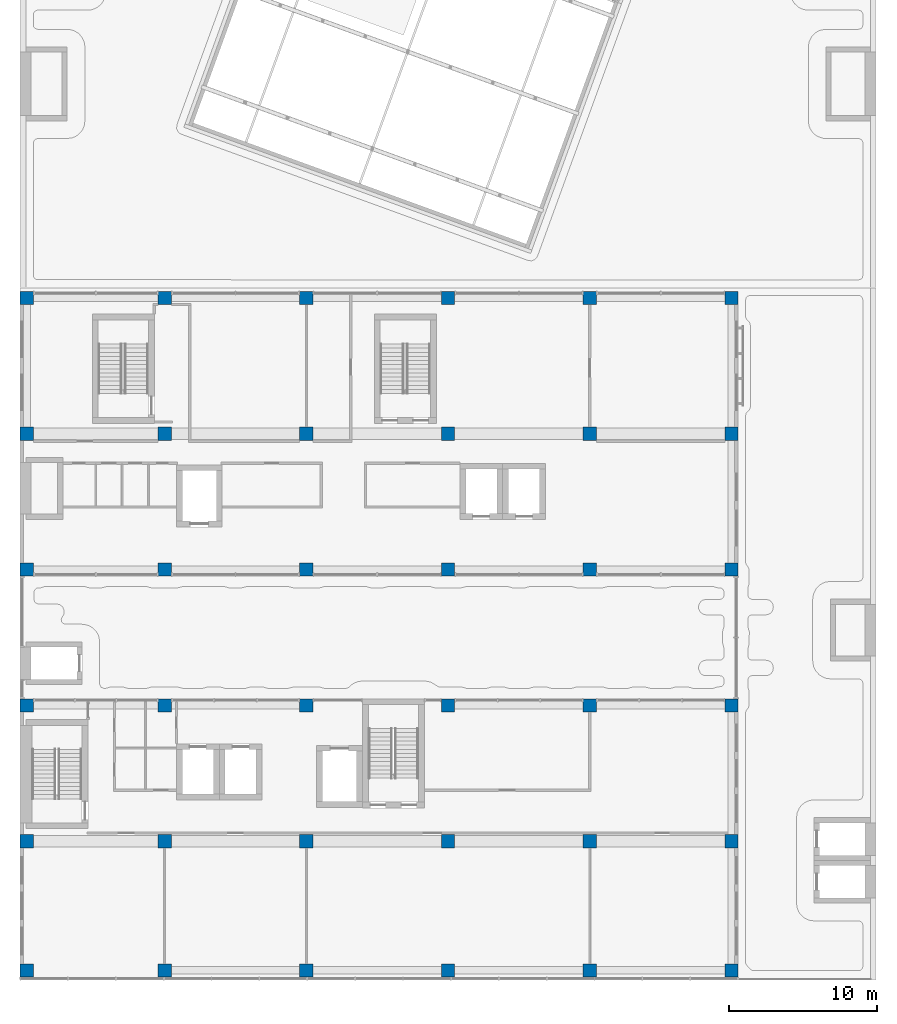
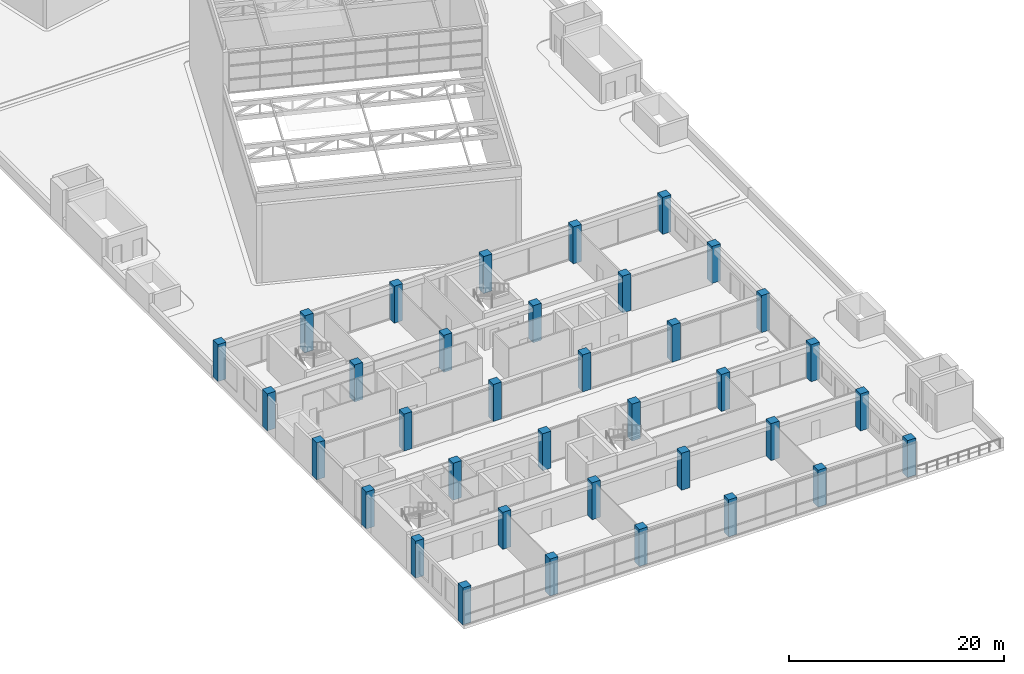
# One storey, part 1 of 72: 36 columns.
"""IFC4 building model written with IfcOpenShell, lengths in metres."""

from ifc_helpers import new_model, si_unit, direction, frame, origin, origin_2d, place, context, subcontext, project, spatial, rectangle, extrude, material, material_profile, profile_set, type_object, element, save


model = new_model("IFC4")

# Units and contexts
model_context = context("Model", 3, precision=1e-05, world=origin(), true_north=direction((0.0, 1.0)))
body_context = subcontext(model_context, "Body", "Model", "MODEL_VIEW")
ifc_project = project(units=[si_unit("LENGTHUNIT", "METRE"), si_unit("AREAUNIT", "SQUARE_METRE"), si_unit("VOLUMEUNIT", "CUBIC_METRE"), si_unit("PLANEANGLEUNIT", "RADIAN"), si_unit("MASSUNIT", "GRAM", prefix="KILO")], contexts=[model_context])

# Site, building, storey
site_placement = place(None, origin())
site = spatial("IfcSite", under=ifc_project, at=site_placement, CompositionType="ELEMENT")
building_placement = place(site_placement, origin())
building = spatial("IfcBuilding", under=site, at=building_placement, Name="Nzadi Deep Aquarium and Research Tower", CompositionType="ELEMENT")
storey_placement = place(building_placement, frame((0.0, 0.0, 31.89990234375)))
storey = spatial("IfcBuildingStorey", under=building, at=storey_placement, Name="L05", CompositionType="ELEMENT", Elevation=31.89990234375)

# Columns
ifc_material = material(Name="Concrete C40/50", Category="concrete")
ifc_material_profile = material_profile(ifc_material, rectangle(XDim=0.89990234375, YDim=0.89990234375, at=origin_2d()))
ifc_profile_set = profile_set([ifc_material_profile], Name="Concrete C40/50")
column_type = type_object("IfcColumnType", Name="RC 900x900", PredefinedType="COLUMN", material=ifc_profile_set)
for number, where, z_axis, x_axis, name in (
    (1, (0.25048828125, 0.449951171875, 0.0), (0.0, 0.0, 1.0), (1.0, 0.0, 0.0), "C-Z1-L05-A1"),
    (2, (9.60009765625, 0.449951171875, 0.0), (0.0, 0.0, 1.0), (1.0, 0.0, 0.0), "C-Z1-L05-B1"),
    (3, (19.199951171875, 0.449951171875, 0.0), (0.0, 0.0, 1.0), (1.0, 0.0, 0.0), "C-Z1-L05-C1"),
    (4, (28.800048828125, 0.449951171875, 0.0), (0.0, 0.0, 1.0), (1.0, 0.0, 0.0), "C-Z1-L05-D1"),
    (5, (38.39990234375, 0.449951171875, 0.0), (0.0, 0.0, 1.0), (1.0, 0.0, 0.0), "C-Z1-L05-E1"),
    (6, (48.0, 0.449951171875, 0.0), (0.0, 0.0, 1.0), (1.0, 0.0, 0.0), "C-Z1-L05-F1"),
    (7, (0.25048828125, 9.199951171875, 0.0), (0.0, 0.0, 1.0), (1.0, 0.0, 0.0), "C-Z1-L05-A2"),
    (8, (9.60009765625, 9.199951171875, 0.0), (0.0, 0.0, 1.0), (1.0, 0.0, 0.0), "C-Z1-L05-B2"),
    (9, (19.199951171875, 9.199951171875, 0.0), (0.0, 0.0, 1.0), (1.0, 0.0, 0.0), "C-Z1-L05-C2"),
    (10, (28.800048828125, 9.199951171875, 0.0), (0.0, 0.0, 1.0), (1.0, 0.0, 0.0), "C-Z1-L05-D2"),
    (11, (38.39990234375, 9.199951171875, 0.0), (0.0, 0.0, 1.0), (1.0, 0.0, 0.0), "C-Z1-L05-E2"),
    (12, (48.0, 9.199951171875, 0.0), (0.0, 0.0, 1.0), (1.0, 0.0, 0.0), "C-Z1-L05-F2"),
    (13, (0.25048828125, 18.39990234375, 0.0), (0.0, 0.0, 1.0), (1.0, 0.0, 0.0), "C-Z1-L05-A3"),
    (14, (9.60009765625, 18.39990234375, 0.0), (0.0, 0.0, 1.0), (1.0, 0.0, 0.0), "C-Z1-L05-B3"),
    (15, (19.199951171875, 18.39990234375, 0.0), (0.0, 0.0, 1.0), (1.0, 0.0, 0.0), "C-Z1-L05-C3"),
    (16, (28.800048828125, 18.39990234375, 0.0), (0.0, 0.0, 1.0), (1.0, 0.0, 0.0), "C-Z1-L05-D3"),
    (17, (38.39990234375, 18.39990234375, 0.0), (0.0, 0.0, 1.0), (1.0, 0.0, 0.0), "C-Z1-L05-E3"),
    (18, (48.0, 18.39990234375, 0.0), (0.0, 0.0, 1.0), (1.0, 0.0, 0.0), "C-Z1-L05-F3"),
    (19, (0.25048828125, 27.60009765625, 0.0), (0.0, 0.0, 1.0), (1.0, 0.0, 0.0), "C-Z1-L05-A4"),
    (20, (9.60009765625, 27.60009765625, 0.0), (0.0, 0.0, 1.0), (1.0, 0.0, 0.0), "C-Z1-L05-B4"),
    (21, (19.199951171875, 27.60009765625, 0.0), (0.0, 0.0, 1.0), (1.0, 0.0, 0.0), "C-Z1-L05-C4"),
    (22, (28.800048828125, 27.60009765625, 0.0), (0.0, 0.0, 1.0), (1.0, 0.0, 0.0), "C-Z1-L05-D4"),
    (23, (38.39990234375, 27.60009765625, 0.0), (0.0, 0.0, 1.0), (1.0, 0.0, 0.0), "C-Z1-L05-E4"),
    (24, (48.0, 27.60009765625, 0.0), (0.0, 0.0, 1.0), (1.0, 0.0, 0.0), "C-Z1-L05-F4"),
    (25, (0.25048828125, 36.800048828125, 0.0), (0.0, 0.0, 1.0), (1.0, 0.0, 0.0), "C-Z1-L05-A5"),
    (26, (9.60009765625, 36.800048828125, 0.0), (0.0, 0.0, 1.0), (1.0, 0.0, 0.0), "C-Z1-L05-B5"),
    (27, (19.199951171875, 36.800048828125, 0.0), (0.0, 0.0, 1.0), (1.0, 0.0, 0.0), "C-Z1-L05-C5"),
    (28, (28.800048828125, 36.800048828125, 0.0), (0.0, 0.0, 1.0), (1.0, 0.0, 0.0), "C-Z1-L05-D5"),
    (29, (38.39990234375, 36.800048828125, 0.0), (0.0, 0.0, 1.0), (1.0, 0.0, 0.0), "C-Z1-L05-E5"),
    (30, (48.0, 36.800048828125, 0.0), (0.0, 0.0, 1.0), (1.0, 0.0, 0.0), "C-Z1-L05-F5"),
    (31, (0.25048828125, 46.0, 0.0), (0.0, 0.0, 1.0), (1.0, 0.0, 0.0), "C-Z1-L05-A6"),
    (32, (9.60009765625, 46.0, 0.0), (0.0, 0.0, 1.0), (1.0, 0.0, 0.0), "C-Z1-L05-B6"),
    (33, (19.199951171875, 46.0, 0.0), (0.0, 0.0, 1.0), (1.0, 0.0, 0.0), "C-Z1-L05-C6"),
    (34, (28.800048828125, 46.0, 0.0), (0.0, 0.0, 1.0), (1.0, 0.0, 0.0), "C-Z1-L05-D6"),
    (35, (38.39990234375, 46.0, 0.0), (0.0, 0.0, 1.0), (1.0, 0.0, 0.0), "C-Z1-L05-E6"),
    (36, (48.0, 46.0, 0.0), (0.0, 0.0, 1.0), (1.0, 0.0, 0.0), "C-Z1-L05-F6"),
):
    element("IfcColumn", number, at=place(storey_placement, frame(where, z_axis=z_axis, x_axis=x_axis)), inside=storey, type_object=column_type, Name=name, PredefinedType="COLUMN", context=body_context, shape_type="SweptSolid", body=[
        extrude(rectangle(XDim=0.89990234375, YDim=0.89990234375, at=origin_2d()), origin(), (0.0, 0.0, 1.0), 4.2001953125),
    ])

save(model, "model.ifc")
